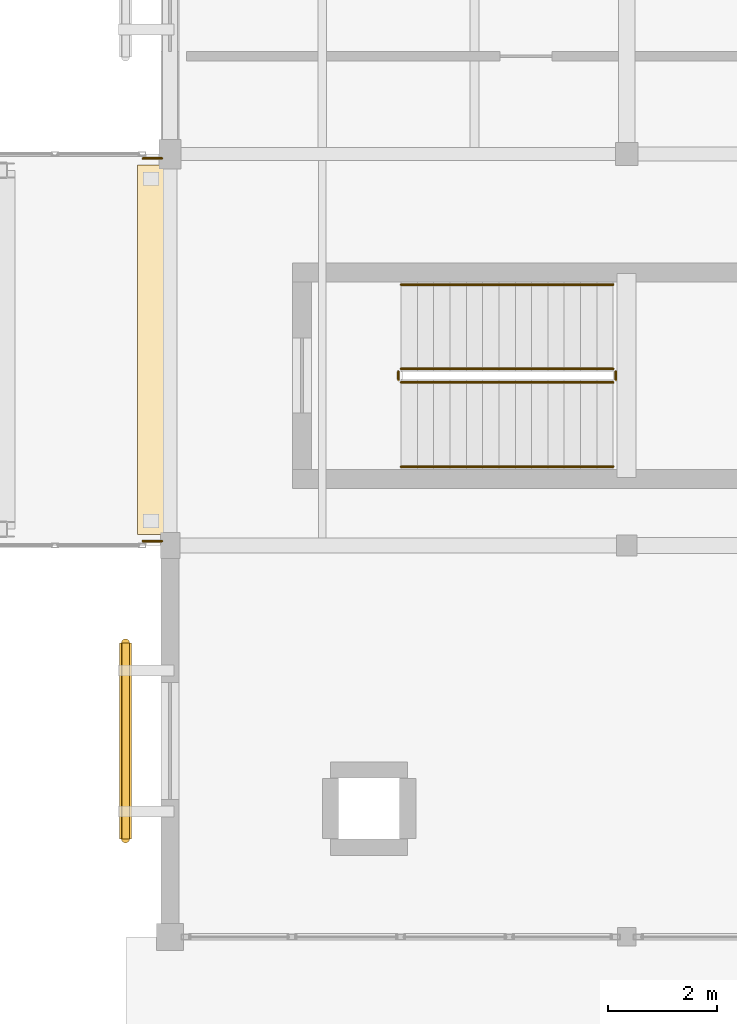
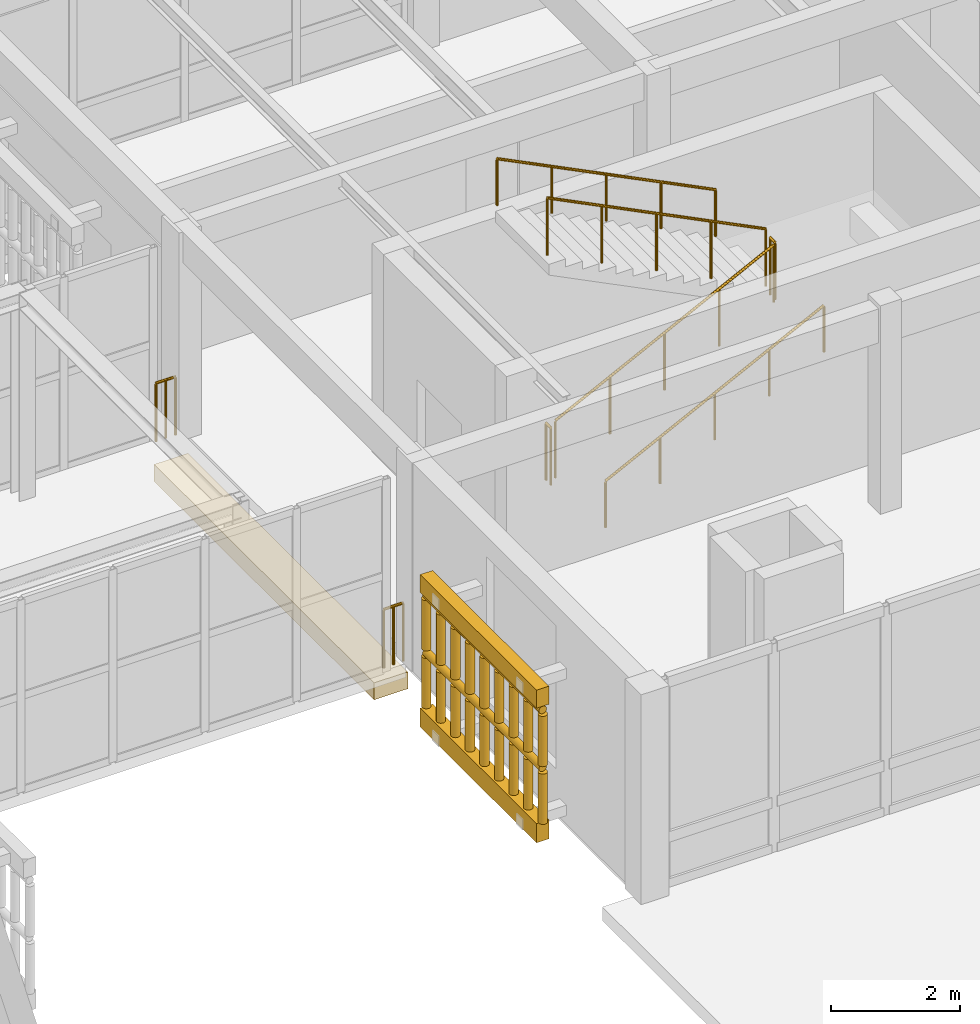
# One storey, part 199 of 217: 10 railings, 3 coverings.
"""IFC4 building model written with IfcOpenShell, lengths in metres."""

from ifc_helpers import new_model, si_unit, direction, frame, origin, origin_2d, place, context, subcontext, project, spatial, polyline, circle, outline, extrude, material, layer, layer_set, type_object, element, save


model = new_model("IFC4")

# Units and contexts
model_context = context("Model", 3, precision=1e-05, world=origin(), true_north=direction((0.0, 1.0)))
body_context = subcontext(model_context, "Body", "Model", "MODEL_VIEW")
ifc_project = project(units=[si_unit("LENGTHUNIT", "METRE"), si_unit("AREAUNIT", "SQUARE_METRE"), si_unit("VOLUMEUNIT", "CUBIC_METRE"), si_unit("PLANEANGLEUNIT", "RADIAN"), si_unit("MASSUNIT", "GRAM", prefix="KILO")], contexts=[model_context])

# Site, building, storey
site_placement = place(None, origin())
site = spatial("IfcSite", under=ifc_project, at=site_placement, CompositionType="ELEMENT")
building_placement = place(site_placement, origin())
building = spatial("IfcBuilding", under=site, at=building_placement, Name="Mazaris Harbour Polytechnic", CompositionType="ELEMENT")
storey_placement = place(building_placement, frame((0.0, 0.0, 9.60009765625)))
storey = spatial("IfcBuildingStorey", under=building, at=storey_placement, Name="L02", CompositionType="ELEMENT", Elevation=9.60009765625)

# Covering
ifc_material_1 = material(Name="Concrete C40/50", Category="concrete")
ifc_layer_1 = layer(ifc_material_1, 0.320068359375, Name="Concrete C40/50")
ifc_layer_set_1 = layer_set([ifc_layer_1], Name="Concrete C40/50")
covering_type_1 = type_object("IfcCoveringType", Name="Bridge Bearing Corbel 600 Exterior", PredefinedType="CLADDING", material=ifc_layer_set_1)
covering_1_placement = place(storey_placement, frame((0.0, 0.0, -0.650146484375)))
element("IfcCovering", 1, at=covering_1_placement, inside=storey, type_object=covering_type_1, Name="PB-W1 L02 600mm Bridge Bearing Seat Corbel E", PredefinedType="CLADDING", context=body_context, shape_type="SweptSolid", body=[
    extrude(outline(polyline([(53.39990234375, 21.800048828125), (54.0, 21.800048828125), (54.0, 28.60009765625), (53.39990234375, 28.60009765625), (53.39990234375, 21.800048828125)])), origin(), (0.0, 0.0, 1.0), 0.320068359375),
])

# Railings
ifc_material_2 = material(Name="Steel S355", Category="steel")
railing_type_1 = type_object("IfcRailingType", Name="Mezzanine Steel Guardrail 1100 Exterior", PredefinedType="GUARDRAIL", material=ifc_material_2)
for number, where, name in (
    (2, (53.5, 21.679931640625, 0.0), "PB-W1 L02 Bridge End Guard E0"),
    (3, (53.5, 28.719970703125, 0.0), "PB-W1 L02 Bridge End Guard E1"),
):
    element("IfcRailing", number, at=place(storey_placement, frame(where)), inside=storey, type_object=railing_type_1, Name=name, PredefinedType="GUARDRAIL", context=body_context, shape_type="SweptSolid", body=[
        extrude(circle(Radius=0.02392578125, at=origin_2d()), frame((0.0, 0.0, 1.09619140625), z_axis=(1.0, 0.0, 0.0), x_axis=(0.0, 1.0, 0.0)), (0.0, 0.0, 1.0), 0.35009765625),
        extrude(circle(Radius=0.02099609375, at=origin_2d()), origin(), (0.0, 0.0, 1.0), 1.072021484375),
        extrude(circle(Radius=0.02099609375, at=origin_2d()), frame((0.175048828125, 0.0, 0.0)), (0.0, 0.0, 1.0), 1.072021484375),
        extrude(circle(Radius=0.02099609375, at=origin_2d()), frame((0.35009765625, 0.0, 0.0)), (0.0, 0.0, 1.0), 1.072021484375),
    ])
ifc_material_3 = material(Name="Perforated Earth-Coloured Terracotta Block", Category="masonry")
railing_type_2 = type_object("IfcRailingType", Name="Perforated Earth-Block Claustra Lattice 1040", PredefinedType="BALUSTRADE", material=ifc_material_3)
for number, where, name in (
    (4, (53.179931640625, 16.205078125, 0.52001953125), "V3 L02 Lower Perforated Terracotta Block Screen 128"),
    (5, (53.179931640625, 16.205078125, 1.60986328125), "V3 L02 Upper Perforated Terracotta Block Screen 128"),
):
    element("IfcRailing", number, at=place(storey_placement, frame(where)), inside=storey, type_object=railing_type_2, Name=name, PredefinedType="BALUSTRADE", context=body_context, shape_type="SweptSolid", body=[
        extrude(circle(Radius=0.06982421875, at=origin_2d()), frame((0.0, 0.0, 1.02001953125), z_axis=(0.0, 1.0, 0.0), x_axis=(-1.0, 0.0, 0.0)), (0.0, 0.0, 1.0), 3.599853515625),
        extrude(circle(Radius=0.074951171875, at=origin_2d()), origin(), (0.0, 0.0, 1.0), 0.9501953125),
        extrude(circle(Radius=0.074951171875, at=origin_2d()), frame((0.0, 0.449951171875, 0.0)), (0.0, 0.0, 1.0), 0.9501953125),
        extrude(circle(Radius=0.074951171875, at=origin_2d()), frame((0.0, 0.89990234375, 0.0)), (0.0, 0.0, 1.0), 0.9501953125),
        extrude(circle(Radius=0.074951171875, at=origin_2d()), frame((0.0, 1.349853515625, 0.0)), (0.0, 0.0, 1.0), 0.9501953125),
        extrude(circle(Radius=0.074951171875, at=origin_2d()), frame((0.0, 1.7998046875, 0.0)), (0.0, 0.0, 1.0), 0.9501953125),
        extrude(circle(Radius=0.074951171875, at=origin_2d()), frame((0.0, 2.25, 0.0)), (0.0, 0.0, 1.0), 0.9501953125),
        extrude(circle(Radius=0.074951171875, at=origin_2d()), frame((0.0, 2.699951171875, 0.0)), (0.0, 0.0, 1.0), 0.9501953125),
        extrude(circle(Radius=0.074951171875, at=origin_2d()), frame((0.0, 3.14990234375, 0.0)), (0.0, 0.0, 1.0), 0.9501953125),
        extrude(circle(Radius=0.074951171875, at=origin_2d()), frame((0.0, 3.599853515625, 0.0)), (0.0, 0.0, 1.0), 0.9501953125),
    ])
ifc_material_4 = material(Name="Stainless Steel S355", Category="steel")
railing_type_3 = type_object("IfcRailingType", Name="Stair Wall Handrail 900", PredefinedType="HANDRAIL", material=ifc_material_4)
railing_1_placement = place(storey_placement, frame((58.25, 23.050048828125, 0.14990234375)))
element("IfcRailing", 6, at=railing_1_placement, inside=storey, type_object=railing_type_3, Name="L02 ST05 stair handrail 1", PredefinedType="HANDRAIL", context=body_context, shape_type="SweptSolid", body=[
    extrude(circle(Radius=0.02392578125, at=origin_2d()), frame((0.0, 0.0, 0.8759765625), z_axis=(0.894427191, 0.0, 0.4472135955), x_axis=(0.0, 1.0, 0.0)), (0.0, 0.0, 1.0), 4.360107421875),
    extrude(circle(Radius=0.02099609375, at=origin_2d()), origin(), (0.0, 0.0, 1.0), 0.851806640625),
    extrude(circle(Radius=0.02099609375, at=origin_2d()), frame((0.97509765625, 0.0, 0.487548828125)), (0.0, 0.0, 1.0), 0.851806640625),
    extrude(circle(Radius=0.02099609375, at=origin_2d()), frame((1.949951171875, 0.0, 0.97509765625)), (0.0, 0.0, 1.0), 0.851806640625),
    extrude(circle(Radius=0.02099609375, at=origin_2d()), frame((2.9248046875, 0.0, 1.46240234375)), (0.0, 0.0, 1.0), 0.851806640625),
    extrude(circle(Radius=0.02099609375, at=origin_2d()), frame((3.89990234375, 0.0, 1.949951171875)), (0.0, 0.0, 1.0), 0.851806640625),
])
railing_2_placement = place(storey_placement, frame((62.14990234375, 26.39990234375, 2.25)))
element("IfcRailing", 7, at=railing_2_placement, inside=storey, type_object=railing_type_3, Name="L02 ST05 stair handrail 2", PredefinedType="HANDRAIL", context=body_context, shape_type="SweptSolid", body=[
    extrude(circle(Radius=0.02392578125, at=origin_2d()), frame((0.0, 0.0, 0.8759765625), z_axis=(-0.894427191, 0.0, 0.4472135955), x_axis=(0.0, -1.0, 0.0)), (0.0, 0.0, 1.0), 4.360107421875),
    extrude(circle(Radius=0.02099609375, at=origin_2d()), origin(), (0.0, 0.0, 1.0), 0.851806640625),
    extrude(circle(Radius=0.02099609375, at=origin_2d()), frame((-0.97509765625, 0.0, 0.487548828125)), (0.0, 0.0, 1.0), 0.851806640625),
    extrude(circle(Radius=0.02099609375, at=origin_2d()), frame((-1.949951171875, 0.0, 0.97509765625)), (0.0, 0.0, 1.0), 0.851806640625),
    extrude(circle(Radius=0.02099609375, at=origin_2d()), frame((-2.9248046875, 0.0, 1.46240234375)), (0.0, 0.0, 1.0), 0.851806640625),
    extrude(circle(Radius=0.02099609375, at=origin_2d()), frame((-3.89990234375, 0.0, 1.949951171875)), (0.0, 0.0, 1.0), 0.851806640625),
])
ifc_material_5 = material(Name="Steel S355", Category="steel")
railing_type_4 = type_object("IfcRailingType", Name="Stair Well Guardrail 1100", PredefinedType="GUARDRAIL", material=ifc_material_5)
railing_3_placement = place(storey_placement, frame((58.25, 24.60009765625, 0.14990234375)))
element("IfcRailing", 8, at=railing_3_placement, inside=storey, type_object=railing_type_4, Name="L02 ST05 stair guard 1", PredefinedType="GUARDRAIL", context=body_context, shape_type="SweptSolid", body=[
    extrude(circle(Radius=0.02392578125, at=origin_2d()), frame((0.0, 0.0, 1.076171875), z_axis=(0.894427191, 0.0, 0.4472135955), x_axis=(0.0, 1.0, 0.0)), (0.0, 0.0, 1.0), 4.360107421875),
    extrude(circle(Radius=0.02099609375, at=origin_2d()), origin(), (0.0, 0.0, 1.0), 1.052001953125),
    extrude(circle(Radius=0.02099609375, at=origin_2d()), frame((0.97509765625, 0.0, 0.487548828125)), (0.0, 0.0, 1.0), 1.052001953125),
    extrude(circle(Radius=0.02099609375, at=origin_2d()), frame((1.949951171875, 0.0, 0.97509765625)), (0.0, 0.0, 1.0), 1.052001953125),
    extrude(circle(Radius=0.02099609375, at=origin_2d()), frame((2.9248046875, 0.0, 1.46240234375)), (0.0, 0.0, 1.0), 1.052001953125),
    extrude(circle(Radius=0.02099609375, at=origin_2d()), frame((3.89990234375, 0.0, 1.949951171875)), (0.0, 0.0, 1.0), 1.052001953125),
])
railing_4_placement = place(storey_placement, frame((62.199951171875, 24.64990234375, 2.099853515625)))
element("IfcRailing", 9, at=railing_4_placement, inside=storey, type_object=railing_type_4, Name="L02 ST05 stair guard 2", PredefinedType="GUARDRAIL", context=body_context, shape_type="SweptSolid", body=[
    extrude(circle(Radius=0.02392578125, at=origin_2d()), frame((0.0, 0.0, 1.076171875), z_axis=(0.0, 1.0, 0.0), x_axis=(-1.0, 0.0, 0.0)), (0.0, 0.0, 1.0), 0.150146484375),
    extrude(circle(Radius=0.02099609375, at=origin_2d()), origin(), (0.0, 0.0, 1.0), 1.052001953125),
    extrude(circle(Radius=0.02099609375, at=origin_2d()), frame((0.0, 0.150146484375, 0.0)), (0.0, 0.0, 1.0), 1.052001953125),
])
railing_5_placement = place(storey_placement, frame((62.14990234375, 24.85009765625, 2.25)))
element("IfcRailing", 10, at=railing_5_placement, inside=storey, type_object=railing_type_4, Name="L02 ST05 stair guard 3", PredefinedType="GUARDRAIL", context=body_context, shape_type="SweptSolid", body=[
    extrude(circle(Radius=0.02392578125, at=origin_2d()), frame((0.0, 0.0, 1.076171875), z_axis=(-0.894427191, 0.0, 0.4472135955), x_axis=(0.0, -1.0, 0.0)), (0.0, 0.0, 1.0), 4.360107421875),
    extrude(circle(Radius=0.02099609375, at=origin_2d()), origin(), (0.0, 0.0, 1.0), 1.052001953125),
    extrude(circle(Radius=0.02099609375, at=origin_2d()), frame((-0.97509765625, 0.0, 0.487548828125)), (0.0, 0.0, 1.0), 1.052001953125),
    extrude(circle(Radius=0.02099609375, at=origin_2d()), frame((-1.949951171875, 0.0, 0.97509765625)), (0.0, 0.0, 1.0), 1.052001953125),
    extrude(circle(Radius=0.02099609375, at=origin_2d()), frame((-2.9248046875, 0.0, 1.46240234375)), (0.0, 0.0, 1.0), 1.052001953125),
    extrude(circle(Radius=0.02099609375, at=origin_2d()), frame((-3.89990234375, 0.0, 1.949951171875)), (0.0, 0.0, 1.0), 1.052001953125),
])
railing_6_placement = place(storey_placement, frame((58.199951171875, 24.64990234375, 0.0)))
element("IfcRailing", 11, at=railing_6_placement, inside=storey, type_object=railing_type_4, Name="L02 ST05 stair guard 4", PredefinedType="GUARDRAIL", context=body_context, shape_type="SweptSolid", body=[
    extrude(circle(Radius=0.02392578125, at=origin_2d()), frame((0.0, 0.0, 1.076171875), z_axis=(0.0, 1.0, 0.0), x_axis=(-1.0, 0.0, 0.0)), (0.0, 0.0, 1.0), 0.150146484375),
    extrude(circle(Radius=0.02099609375, at=origin_2d()), origin(), (0.0, 0.0, 1.0), 1.052001953125),
    extrude(circle(Radius=0.02099609375, at=origin_2d()), frame((0.0, 0.150146484375, 0.0)), (0.0, 0.0, 1.0), 1.052001953125),
])

# Coverings
ifc_material_6 = material(Name="Perforated Earth-Coloured Terracotta Block", Category="masonry")
ifc_layer_2 = layer(ifc_material_6, 0.219970703125, Name="Perforated Earth-Coloured Terracotta Block")
ifc_layer_set_2 = layer_set([ifc_layer_2], Name="Perforated Earth-Coloured Terracotta Block")
covering_type_2 = type_object("IfcCoveringType", Name="Terracotta Screen Course Cladding 220", PredefinedType="CLADDING", material=ifc_layer_set_2)
covering_2_placement = place(storey_placement, frame((0.0, 0.0, 0.159912109375)))
element("IfcCovering", 12, at=covering_2_placement, inside=storey, type_object=covering_type_2, Name="V3 L02 Perforated Screen Sill Course 128", PredefinedType="CLADDING", context=body_context, shape_type="SweptSolid", body=[
    extrude(outline(polyline([(53.2900390625, 16.205078125), (53.2900390625, 19.804931640625), (53.070068359375, 19.804931640625), (53.070068359375, 16.205078125), (53.2900390625, 16.205078125)])), origin(), (0.0, 0.0, 1.0), 0.360107421875),
])
covering_3_placement = place(storey_placement, frame((0.0, 0.0, 2.699951171875)))
element("IfcCovering", 13, at=covering_3_placement, inside=storey, type_object=covering_type_2, Name="V3 L02 Perforated Screen Lintel Course 128", PredefinedType="CLADDING", context=body_context, shape_type="SweptSolid", body=[
    extrude(outline(polyline([(53.2900390625, 16.205078125), (53.2900390625, 19.804931640625), (53.070068359375, 19.804931640625), (53.070068359375, 16.205078125), (53.2900390625, 16.205078125)])), origin(), (0.0, 0.0, 1.0), 0.33984375),
])

save(model, "model.ifc")
